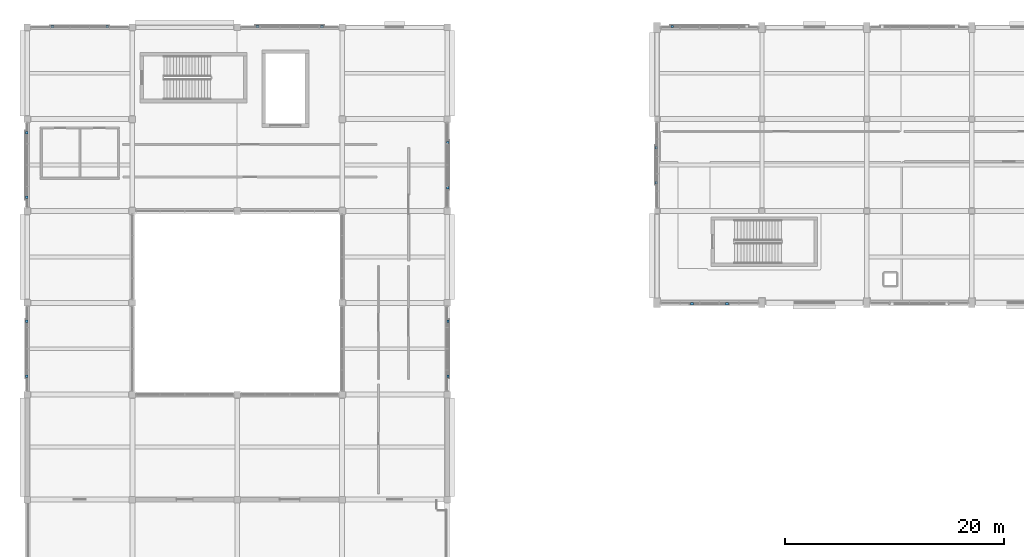
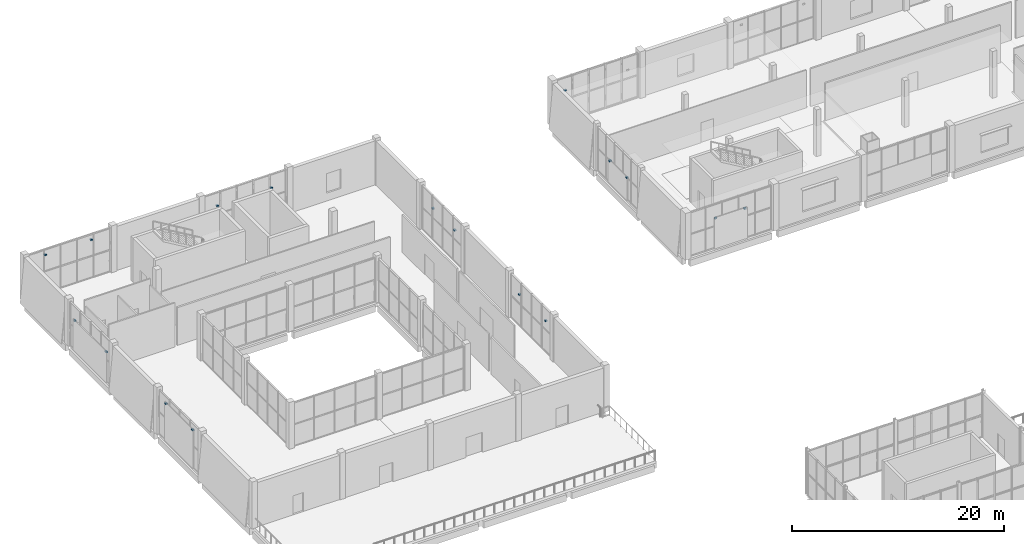
# One storey, part 65 of 83: 17 discrete accessories.
"""IFC4 building model written with IfcOpenShell, lengths in metres."""

import ifcopenshell
import ifcopenshell.guid

model = None  # the IFC model being written
_history = None  # IfcOwnerHistory: only IFC2X3 demands one
_inside = {}  # id of a spatial element -> (the spatial element, [elements in it])
_under = {}  # id of a project, library or spatial element -> (it, [spatial elements below it])
_declared = {}  # id of a project -> (the project, [libraries it declares])
_typed = {}  # id of a type object -> (the type object, [elements of that type])
_made_of = {}  # id of a material, layer set ... -> (it, [elements and type objects made of it])


def new_model(schema):
    """Start an empty IFC model of exactly this schema.

    Asked for "IFC4X3", IfcOpenShell would pick the latest addendum, in which some entities
    have other attributes; the version numbers below select the first issue.
    IFC2X3 requires an IfcOwnerHistory on every rooted entity: one is made here for all.
    """
    global model, _history
    if schema == "IFC4X3":
        model = ifcopenshell.file(schema_version=(4, 3, 0, 0))
    else:
        model = ifcopenshell.file(schema=schema)
    _inside.clear()
    _under.clear()
    _declared.clear()
    _typed.clear()
    _made_of.clear()
    _history = None
    if model.schema == "IFC2X3":
        org = make("IfcOrganization", Name="unknown")
        user = make(
            "IfcPersonAndOrganization",
            ThePerson=make("IfcPerson", FamilyName="unknown"),
            TheOrganization=org,
        )
        app = make(
            "IfcApplication",
            ApplicationDeveloper=org,
            Version="unknown",
            ApplicationFullName="unknown",
            ApplicationIdentifier="unknown",
        )
        _history = make(
            "IfcOwnerHistory",
            OwningUser=user,
            OwningApplication=app,
            ChangeAction="ADDED",
            CreationDate=0,
        )
    return model


def make(cls, **values):
    """One entity of the class cls with the attributes given. An attribute that is None is left unset."""
    return model.create_entity(
        cls, **{name: value for name, value in values.items() if value is not None}
    )


def rooted(cls, **values):
    """An entity with a GlobalId (a new one), such as an element, a storey or a relation."""
    return make(cls, GlobalId=ifcopenshell.guid.new(), OwnerHistory=_history, **values)


def si_unit(unit_type, name, prefix=None):
    """IfcSIUnit, for example si_unit("LENGTHUNIT", "METRE", prefix="MILLI")."""
    return make("IfcSIUnit", UnitType=unit_type, Prefix=prefix, Name=name)


def assignment(units):
    """IfcUnitAssignment: the units of a project."""
    return None if units is None else make("IfcUnitAssignment", Units=units)


def point(xyz):
    """IfcCartesianPoint."""
    return None if xyz is None else make("IfcCartesianPoint", Coordinates=xyz)


def direction(xyz):
    """IfcDirection."""
    return None if xyz is None else make("IfcDirection", DirectionRatios=xyz)


def frame(location, z_axis=None, x_axis=None):
    """IfcAxis2Placement3D, a coordinate frame: its origin and axes. An axis left out is left unset."""
    return make(
        "IfcAxis2Placement3D",
        Location=point(location),
        Axis=direction(z_axis),
        RefDirection=direction(x_axis),
    )


def frame_2d(location, x_axis=None):
    """IfcAxis2Placement2D, a coordinate frame in the plane: its origin and x axis."""
    return make(
        "IfcAxis2Placement2D", Location=point(location), RefDirection=direction(x_axis)
    )


def origin():
    """The frame at (0, 0, 0) with its axes left unset."""
    return frame((0.0, 0.0, 0.0))


def origin_2d():
    """The frame at (0, 0) in the plane with its x axis left unset."""
    return frame_2d((0.0, 0.0))


def place(relative_to, where):
    """IfcLocalPlacement: puts the frame where relative to a parent placement (None: the world)."""
    return make(
        "IfcLocalPlacement", PlacementRelTo=relative_to, RelativePlacement=where
    )


def context(
    kind, dimensions, precision=None, world=None, true_north=None, identifier=None
):
    """IfcGeometricRepresentationContext, for example the 3D "Model" context."""
    return make(
        "IfcGeometricRepresentationContext",
        ContextIdentifier=identifier,
        ContextType=kind,
        CoordinateSpaceDimension=dimensions,
        Precision=precision,
        WorldCoordinateSystem=world,
        TrueNorth=true_north,
    )


def subcontext(parent, identifier, kind, view, scale=None):
    """IfcGeometricRepresentationSubContext, for example "Body" below "Model"."""
    return make(
        "IfcGeometricRepresentationSubContext",
        ContextIdentifier=identifier,
        ContextType=kind,
        ParentContext=parent,
        TargetScale=scale,
        TargetView=view,
    )


def project(units=None, contexts=None):
    """IfcProject with its units and contexts."""
    return rooted(
        "IfcProject",
        Name="project",
        RepresentationContexts=contexts,
        UnitsInContext=assignment(units),
    )


def spatial(cls, under=None, at=None, **own):
    """A site, building, storey or space (cls), placed at a placement, below another one or the project."""
    s = rooted(cls, ObjectPlacement=at, **own)
    if under is not None:
        _under.setdefault(under.id(), (under, []))[1].append(s)
    return s


def profile(cls, at=None, kind="AREA", **sizes):
    """A parametric profile (cls). Its sizes go by their IFC names, for example OverallWidth=200.0."""
    return make(cls, ProfileType=kind, Position=at, **sizes)


def rectangle(**sizes):
    """IfcRectangleProfileDef."""
    return profile("IfcRectangleProfileDef", **sizes)


def extrude(swept, where, along, depth):
    """IfcExtrudedAreaSolid: the profile swept, set in the frame where, extruded along a direction by depth."""
    return make(
        "IfcExtrudedAreaSolid",
        SweptArea=swept,
        Position=where,
        ExtrudedDirection=direction(along),
        Depth=depth,
    )


def shape(context_of_items, identifier, shape_type, items):
    """IfcShapeRepresentation: the items that make up one representation, for example the "Body"."""
    return make(
        "IfcShapeRepresentation",
        ContextOfItems=context_of_items,
        RepresentationIdentifier=identifier,
        RepresentationType=shape_type,
        Items=items,
    )


def material(Name=None, Category=None):
    """IfcMaterial."""
    return make("IfcMaterial", Name=Name, Category=Category)


def made_of(thing, what):
    """Note that an element or type object is made of a material, layer set ...; save() writes the relation."""
    if what is not None:
        _made_of.setdefault(what.id(), (what, []))[1].append(thing)
    return thing


def type_object(cls, material=None, **own):
    """A type object (cls), such as IfcWallType, which elements share."""
    return made_of(rooted(cls, **own), material)


def element(
    cls,
    number,
    at=None,
    inside=None,
    cuts=None,
    type_object=None,
    material=None,
    context=None,
    identifier="Body",
    shape_type=None,
    held_by="IfcProductDefinitionShape",
    body=None,
    shapes=None,
    **own,
):
    """One element of the class cls, such as IfcWall. Its Tag is "e" and its number.

    at: its placement. inside: the storey or other place that contains it. cuts: it is an
    opening in that element (IfcRelVoidsElement). A single representation is given by context,
    identifier, shape_type and body (its items); several are given by shapes. held_by: the class
    of the entity that holds the representations. save() writes the other relations.
    """
    e = rooted(cls, Tag="e%d" % number, ObjectPlacement=at, **own)
    if body is not None:
        shapes = [shape(context, identifier, shape_type, body)]
    if shapes is not None:
        e.Representation = make(held_by, Representations=shapes)
    if inside is not None:
        _inside.setdefault(inside.id(), (inside, []))[1].append(e)
    if cuts is not None:
        rooted(
            "IfcRelVoidsElement", RelatingBuildingElement=cuts, RelatedOpeningElement=e
        )
    if type_object is not None:
        _typed.setdefault(type_object.id(), (type_object, []))[1].append(e)
    return made_of(e, material)


def aggregate(whole, parts):
    """IfcRelAggregates: a whole, such as a stair, and the parts it consists of."""
    return rooted("IfcRelAggregates", RelatingObject=whole, RelatedObjects=parts)


def save(model, path):
    """Write the relations noted so far, then the file.

    IfcRelAggregates (storeys below a building ...), IfcRelContainedInSpatialStructure (elements
    in a storey), IfcRelDefinesByType, IfcRelAssociatesMaterial and IfcRelDeclares: one each for
    every whole, place, type object, material and project.
    """
    for whole, parts in _under.values():
        aggregate(whole, parts)
    for where, things in _inside.values():
        rooted(
            "IfcRelContainedInSpatialStructure",
            RelatedElements=things,
            RelatingStructure=where,
        )
    for kind, things in _typed.values():
        rooted("IfcRelDefinesByType", RelatedObjects=things, RelatingType=kind)
    for what, things in _made_of.values():
        rooted("IfcRelAssociatesMaterial", RelatedObjects=things, RelatingMaterial=what)
    for by, libraries in _declared.values():
        rooted("IfcRelDeclares", RelatingContext=by, RelatedDefinitions=libraries)
    model.write(path)


model = new_model("IFC4")

# Units and contexts
model_context = context("Model", 3, precision=1e-05, world=origin(), true_north=direction((0.0, 1.0)))
body_context = subcontext(model_context, "Body", "Model", "MODEL_VIEW")
ifc_project = project(units=[si_unit("LENGTHUNIT", "METRE"), si_unit("AREAUNIT", "SQUARE_METRE"), si_unit("VOLUMEUNIT", "CUBIC_METRE"), si_unit("PLANEANGLEUNIT", "RADIAN"), si_unit("MASSUNIT", "GRAM", prefix="KILO")], contexts=[model_context])

# Site, building, storey
site_placement = place(None, origin())
site = spatial("IfcSite", under=ifc_project, at=site_placement, CompositionType="ELEMENT")
building_placement = place(site_placement, origin())
building = spatial("IfcBuilding", under=site, at=building_placement, Name="Shalvenor Court Art Gallery", CompositionType="ELEMENT")
storey_placement = place(building_placement, frame((0.0, 0.0, 6.0)))
storey = spatial("IfcBuildingStorey", under=building, at=storey_placement, Name="L01", CompositionType="ELEMENT", Elevation=6.0)

# Discrete accessories
ifc_material = material(Name="Stainless steel anchor bracket", Category="steel")
discrete_accessory_type = type_object("IfcDiscreteAccessoryType", Name="BRK-01", PredefinedType="BRACKET", material=ifc_material)
for number, where, z_axis, x_axis, name in (
    (1, (59.0, 122.4765625, 3.3701171875), (0.0, 0.0, 1.0), (1.0, 0.0, 0.0), "L01 Lattice Anchor Bracket 97"),
    (2, (64.0, 97.12353515625, 3.3701171875), (0.0, 0.0, 1.0), (-1.0, 0.0, 0.0), "L01 Lattice Anchor Bracket 113"),
    (3, (60.800048828125, 97.12353515625, 3.3701171875), (0.0, 0.0, 1.0), (-1.0, 0.0, 0.0), "L01 Lattice Anchor Bracket 114"),
    (4, (57.54345703125, 108.199951171875, 2.47021484375), (0.0, 0.0, 1.0), (0.0, 1.0, 0.0), "L01 Lattice Anchor Bracket 115"),
    (5, (57.54345703125, 111.39990234375, 2.47021484375), (0.0, 0.0, 1.0), (0.0, 1.0, 0.0), "L01 Lattice Anchor Bracket 116"),
    (6, (2.300048828125, 122.45654296875, 4.27001953125), (0.0, 0.0, 1.0), (1.0, 0.0, 0.0), "L01 Lattice Anchor Bracket 287"),
    (7, (7.300048828125, 122.45654296875, 4.27001953125), (0.0, 0.0, 1.0), (1.0, 0.0, 0.0), "L01 Lattice Anchor Bracket 288"),
    (8, (21.050048828125, 122.466552734375, 3.3701171875), (0.0, 0.0, 1.0), (1.0, 0.0, 0.0), "L01 Lattice Anchor Bracket 289"),
    (9, (26.949951171875, 122.466552734375, 3.3701171875), (0.0, 0.0, 1.0), (1.0, 0.0, 0.0), "L01 Lattice Anchor Bracket 290"),
    (10, (38.471435546875, 111.85009765625, 3.3701171875), (0.0, 0.0, 1.0), (0.0, -1.0, 0.0), "L01 Lattice Anchor Bracket 291"),
    (11, (38.471435546875, 107.75, 3.3701171875), (0.0, 0.0, 1.0), (0.0, -1.0, 0.0), "L01 Lattice Anchor Bracket 292"),
    (12, (38.4765625, 95.5, 3.3701171875), (0.0, 0.0, 1.0), (0.0, -1.0, 0.0), "L01 Lattice Anchor Bracket 293"),
    (13, (38.4765625, 90.5, 3.3701171875), (0.0, 0.0, 1.0), (0.0, -1.0, 0.0), "L01 Lattice Anchor Bracket 294"),
    (14, (-0.056396484375, 90.5, 4.27001953125), (0.0, 0.0, 1.0), (0.0, 1.0, 0.0), "L01 Lattice Anchor Bracket 295"),
    (15, (-0.056396484375, 95.5, 4.27001953125), (0.0, 0.0, 1.0), (0.0, 1.0, 0.0), "L01 Lattice Anchor Bracket 296"),
    (16, (-0.06640625, 106.85009765625, 3.3701171875), (0.0, 0.0, 1.0), (0.0, 1.0, 0.0), "L01 Lattice Anchor Bracket 297"),
    (17, (-0.06640625, 112.75, 3.3701171875), (0.0, 0.0, 1.0), (0.0, 1.0, 0.0), "L01 Lattice Anchor Bracket 298"),
):
    element("IfcDiscreteAccessory", number, at=place(storey_placement, frame(where, z_axis=z_axis, x_axis=x_axis)), inside=storey, type_object=discrete_accessory_type, Name=name, PredefinedType="BRACKET", context=body_context, shape_type="SweptSolid", body=[
        extrude(rectangle(XDim=0.239990234375, YDim=0.219970703125, at=origin_2d()), origin(), (0.0, 0.0, 1.0), 0.159912109375),
    ])

save(model, "model.ifc")
